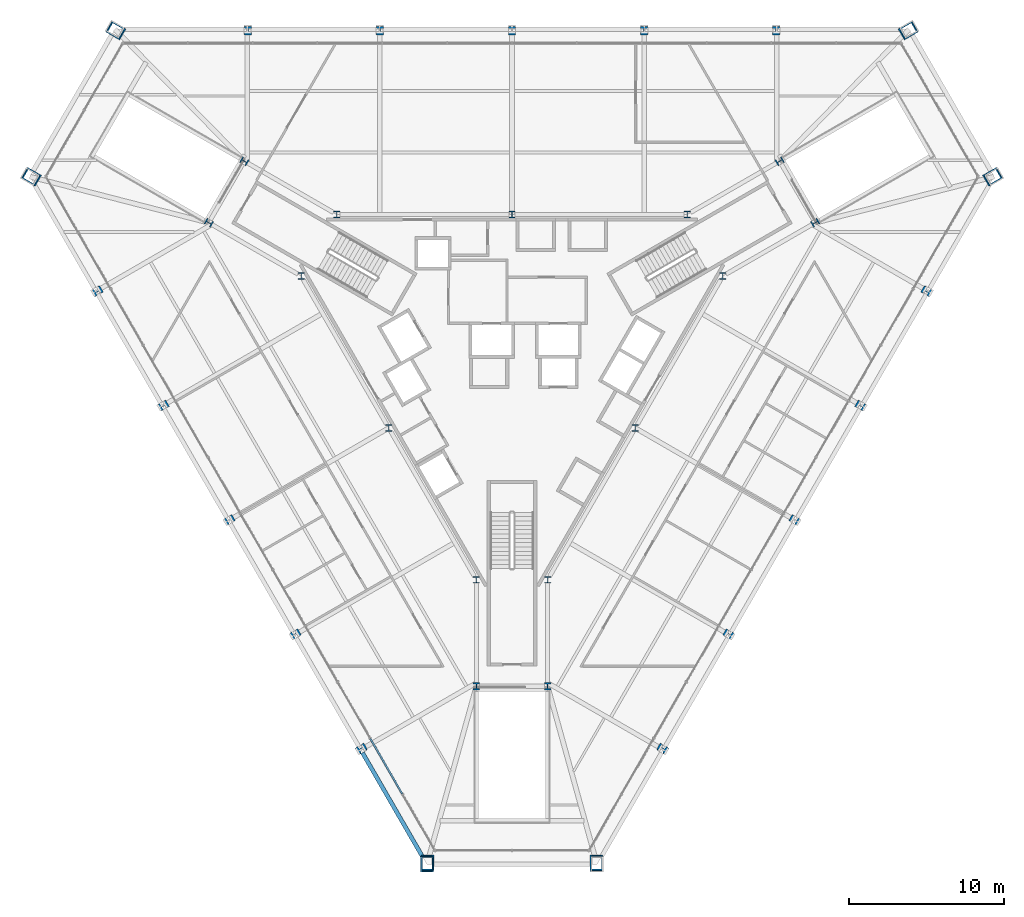
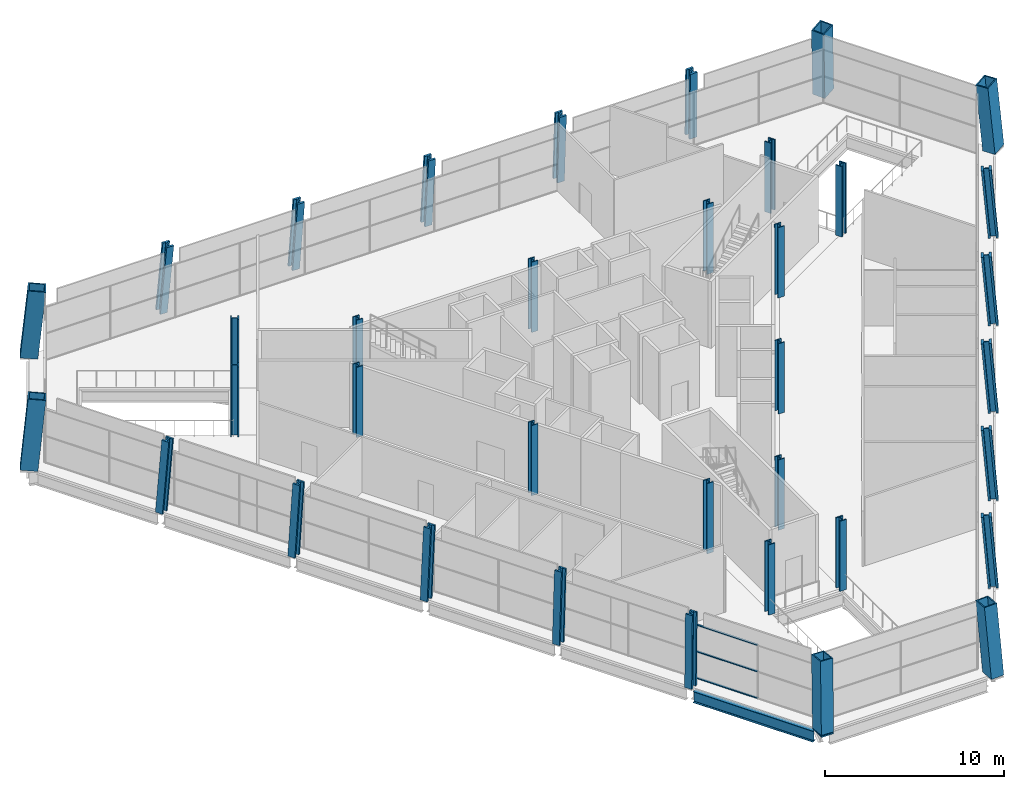
# One storey, part 1 of 18: 36 columns, 4 members, 1 beam, 1 element without a shape of its own.
"""IFC4 building model written with IfcOpenShell, lengths in metres."""

from ifc_helpers import new_model, si_unit, direction, frame, origin, origin_2d, place, context, subcontext, project, spatial, rectangle, hollow_rectangle, i_section, extrude, material, layer, layer_set, material_profile, profile_set, type_object, element, aggregate, save


model = new_model("IFC4")

# Units and contexts
model_context = context("Model", 3, precision=1e-05, world=origin(), true_north=direction((0.0, 1.0)))
body_context = subcontext(model_context, "Body", "Model", "MODEL_VIEW")
ifc_project = project(units=[si_unit("LENGTHUNIT", "METRE"), si_unit("AREAUNIT", "SQUARE_METRE"), si_unit("VOLUMEUNIT", "CUBIC_METRE"), si_unit("PLANEANGLEUNIT", "RADIAN"), si_unit("MASSUNIT", "GRAM", prefix="KILO")], contexts=[model_context])

# Site, building, storey
site_placement = place(None, origin())
site = spatial("IfcSite", under=ifc_project, at=site_placement, CompositionType="ELEMENT")
building_placement = place(site_placement, origin())
building = spatial("IfcBuilding", under=site, at=building_placement, Name="Verrane Prism Tower", CompositionType="ELEMENT")
storey_placement = place(building_placement, frame((0.0, 0.0, 32.0)))
storey = spatial("IfcBuildingStorey", under=building, at=storey_placement, Name="L05", CompositionType="ELEMENT", Elevation=32.0)

# Columns
ifc_material_1 = material(Name="Steel A992", Category="steel")
ifc_material_profile_1 = material_profile(ifc_material_1, i_section(OverallWidth=0.424072265625, OverallDepth=0.47509765625, WebThickness=0.0478515625, FlangeThickness=0.0771484375, FilletRadius=0.014892578125, at=origin_2d()), Name="W14x426")
ifc_profile_set_1 = profile_set([ifc_material_profile_1], Name="Steel A992")
column_type_1 = type_object("IfcColumnType", Name="Core corner column W14x426", PredefinedType="COLUMN", material=ifc_profile_set_1)
for number, where, z_axis, x_axis, name in (
    (1, (19.60009765625, 8.659912109375, 0.0), (0.0, 0.0, 1.0), (0.5, -0.866025403784, 0.0), "Core corner column CK-NEm L05"),
    (2, (17.300048828125, 12.639892578125, 0.0), (0.0, 0.0, 1.0), (0.5, -0.866025403784, 0.0), "Core corner column CK-NEp L05"),
    (3, (-17.300048828125, 12.639892578125, 0.0), (0.0, 0.0, 1.0), (0.5, 0.866025403784, 0.0), "Core corner column CK-NWm L05"),
    (4, (-19.60009765625, 8.659912109375, 0.0), (0.0, 0.0, 1.0), (0.5, 0.866025403784, 0.0), "Core corner column CK-NWp L05"),
    (5, (-2.300048828125, -21.300048828125, 0.0), (0.0, 0.0, 1.0), (-1.0, 0.0, 0.0), "Core corner column CK-Sm L05"),
    (6, (2.300048828125, -21.300048828125, 0.0), (0.0, 0.0, 1.0), (-1.0, 0.0, 0.0), "Core corner column CK-Sp L05"),
):
    element("IfcColumn", number, at=place(storey_placement, frame(where, z_axis=z_axis, x_axis=x_axis)), inside=storey, type_object=column_type_1, Name=name, PredefinedType="COLUMN", context=body_context, shape_type="SweptSolid", body=[
        extrude(i_section(OverallWidth=0.424072265625, OverallDepth=0.47509765625, WebThickness=0.0478515625, FlangeThickness=0.0771484375, FilletRadius=0.014892578125, at=origin_2d()), origin(), (0.0, 0.0, 1.0), 4.800048828125),
    ])
ifc_material_2 = material(Name="Steel A992", Category="steel")
ifc_material_profile_2 = material_profile(ifc_material_2, i_section(OverallWidth=0.411376953125, OverallDepth=0.434326171875, WebThickness=0.035888671875, FlangeThickness=0.057373046875, FilletRadius=0.01513671875, at=origin_2d()), Name="W14x311")
ifc_profile_set_2 = profile_set([ifc_material_profile_2], Name="Steel A992")
column_type_2 = type_object("IfcColumnType", Name="Core side column W14x311", PredefinedType="COLUMN", material=ifc_profile_set_2)
for number, where, z_axis, x_axis, name in (
    (7, (13.6298828125, 5.219970703125, 0.0), (0.0, 0.0, 1.0), (1.0, 0.0, 0.0), "Core side column CC-NEm L05"),
    (8, (11.330078125, 9.199951171875, 0.0), (0.0, 0.0, 1.0), (1.0, 0.0, 0.0), "Core side column CC-NEp L05"),
    (9, (0.0, 9.199951171875, 0.0), (0.0, 0.0, 1.0), (1.0, 0.0, 0.0), "Core side column CC-N0 L05"),
    (10, (-11.330078125, 9.199951171875, 0.0), (0.0, 0.0, 1.0), (1.0, 0.0, 0.0), "Core side column CC-NWm L05"),
    (11, (-13.6298828125, 5.219970703125, 0.0), (0.0, 0.0, 1.0), (1.0, 0.0, 0.0), "Core side column CC-NWp L05"),
    (12, (-7.969970703125, -4.60009765625, 0.0), (0.0, 0.0, 1.0), (1.0, 0.0, 0.0), "Core side column CC-SW0 L05"),
    (13, (-2.300048828125, -14.419921875, 0.0), (0.0, 0.0, 1.0), (1.0, 0.0, 0.0), "Core side column CC-Sm L05"),
    (14, (2.300048828125, -14.419921875, 0.0), (0.0, 0.0, 1.0), (1.0, 0.0, 0.0), "Core side column CC-Sp L05"),
    (15, (7.969970703125, -4.60009765625, 0.0), (0.0, 0.0, 1.0), (1.0, 0.0, 0.0), "Core side column CC-SE0 L05"),
):
    element("IfcColumn", number, at=place(storey_placement, frame(where, z_axis=z_axis, x_axis=x_axis)), inside=storey, type_object=column_type_2, Name=name, PredefinedType="COLUMN", context=body_context, shape_type="SweptSolid", body=[
        extrude(i_section(OverallWidth=0.411376953125, OverallDepth=0.434326171875, WebThickness=0.035888671875, FlangeThickness=0.057373046875, FilletRadius=0.01513671875, at=origin_2d()), origin(), (0.0, 0.0, 1.0), 4.800048828125),
    ])
ifc_material_3 = material(Name="Steel A572 Grade 50", Category="steel")
ifc_material_profile_3 = material_profile(ifc_material_3, hollow_rectangle(XDim=0.800048828125, YDim=1.0, WallThickness=0.074951171875, at=origin_2d()), Name="BOX 1000x800x75")
ifc_profile_set_3 = profile_set([ifc_material_profile_3], Name="Steel A572 Grade 50")
column_type_3 = type_object("IfcColumnType", Name="Megacolumn BOX 1000x800x75", PredefinedType="COLUMN", material=ifc_profile_set_3)
for number, where, z_axis, x_axis, name in (
    (16, (25.667236328125, 21.166259765625, 0.044921875), (-0.06217640116, -0.082901868214, 0.994616195015), (0.499582435164, -0.865300616168, -0.040892959465), "Megacolumn MC-NE.b L05"),
    (17, (-25.667236328125, 21.166259765625, 0.044921875), (0.06217640116, -0.082901868214, 0.994616195015), (0.499582435164, 0.865300616168, 0.040892959465), "Megacolumn MC-NW.a L05"),
):
    element("IfcColumn", number, at=place(storey_placement, frame(where, z_axis=z_axis, x_axis=x_axis)), inside=storey, type_object=column_type_3, Name=name, PredefinedType="COLUMN", context=body_context, shape_type="SweptSolid", body=[
        extrude(hollow_rectangle(XDim=0.800048828125, YDim=1.0, WallThickness=0.074951171875, at=origin_2d()), origin(), (0.0, 0.0, 1.0), 4.7353515625),
    ])
column_1_placement = place(storey_placement, frame((-31.165283203125, 11.639404296875, 0.044921875), z_axis=(0.103570826852, -0.010310684605, 0.994568636952), x_axis=(0.499154841001, 0.865444824509, -0.043008143825)))
element("IfcColumn", 18, at=column_1_placement, inside=storey, type_object=column_type_3, Name="Megacolumn MC-NW.b L05", PredefinedType="COLUMN", context=body_context, shape_type="SweptSolid", body=[
    extrude(hollow_rectangle(XDim=0.800048828125, YDim=1.0, WallThickness=0.074951171875, at=origin_2d()), origin(), (0.0, 0.0, 1.0), 4.735595703125),
])
for number, where, z_axis, x_axis, name in (
    (19, (-5.498046875, -32.805908203125, 0.044921875), (0.041406136876, 0.093279827658, 0.994778571131), (-0.999132963144, -0.000461205092, 0.041630628728), "Megacolumn MC-S.a L05"),
    (20, (5.498046875, -32.805908203125, 0.044921875), (-0.041406136876, 0.093279827658, 0.994778571131), (-0.999132963144, 0.000461205092, -0.041630628728), "Megacolumn MC-S.b L05"),
):
    element("IfcColumn", number, at=place(storey_placement, frame(where, z_axis=z_axis, x_axis=x_axis)), inside=storey, type_object=column_type_3, Name=name, PredefinedType="COLUMN", context=body_context, shape_type="SweptSolid", body=[
        extrude(hollow_rectangle(XDim=0.800048828125, YDim=1.0, WallThickness=0.074951171875, at=origin_2d()), origin(), (0.0, 0.0, 1.0), 4.734619140625),
    ])
column_2_placement = place(storey_placement, frame((31.165283203125, 11.639404296875, 0.044921875), z_axis=(-0.103570826852, -0.010310684605, 0.994568636952), x_axis=(0.499154841001, -0.865444824509, 0.043008143825)))
element("IfcColumn", 21, at=column_2_placement, inside=storey, type_object=column_type_3, Name="Megacolumn MC-NE.a L05", PredefinedType="COLUMN", context=body_context, shape_type="SweptSolid", body=[
    extrude(hollow_rectangle(XDim=0.800048828125, YDim=1.0, WallThickness=0.074951171875, at=origin_2d()), origin(), (0.0, 0.0, 1.0), 4.735595703125),
])
ifc_material_4 = material(Name="Steel A992", Category="steel")
ifc_material_profile_4 = material_profile(ifc_material_4, i_section(OverallWidth=0.45458984375, OverallDepth=0.56884765625, WebThickness=0.077880859375, FlangeThickness=0.124755859375, FilletRadius=0.01513671875, at=origin_2d()), Name="W14x730")
ifc_profile_set_4 = profile_set([ifc_material_profile_4], Name="Steel A992")
column_type_4 = type_object("IfcColumnType", Name="Perimeter column W14x730", PredefinedType="COLUMN", material=ifc_profile_set_4)
column_3_placement = place(storey_placement, frame((17.10888671875, 21.16748046875, 0.030029296875), z_axis=(-0.039441005649, -0.082985106815, 0.995769993081), x_axis=(0.999217228346, -0.000227977802, 0.039558546511)))
element("IfcColumn", 22, at=column_3_placement, inside=storey, type_object=column_type_4, Name="Perimeter column PC-N1 L05", PredefinedType="COLUMN", context=body_context, shape_type="SweptSolid", body=[
    extrude(i_section(OverallWidth=0.45458984375, OverallDepth=0.56884765625, WebThickness=0.077880859375, FlangeThickness=0.124755859375, FilletRadius=0.01513671875, at=origin_2d()), origin(), (0.0, 0.0, 1.0), 4.760009765625),
])
column_4_placement = place(storey_placement, frame((8.5595703125, 21.16796875, 0.02490234375), z_axis=(-0.020791051327, -0.083010576852, 0.996331760166), x_axis=(0.999783003146, -0.000434756363, 0.020826848233)))
element("IfcColumn", 23, at=column_4_placement, inside=storey, type_object=column_type_4, Name="Perimeter column PC-N2 L05", PredefinedType="COLUMN", context=body_context, shape_type="SweptSolid", body=[
    extrude(i_section(OverallWidth=0.45458984375, OverallDepth=0.56884765625, WebThickness=0.077880859375, FlangeThickness=0.124755859375, FilletRadius=0.01513671875, at=origin_2d()), origin(), (0.0, 0.0, 1.0), 4.767578125),
])
column_5_placement = place(storey_placement, frame((0.0, 21.16796875, 0.02490234375), z_axis=(0.0, -0.083028524071, 0.996547171082), x_axis=(1.0, 0.0, 0.0)))
element("IfcColumn", 24, at=column_5_placement, inside=storey, type_object=column_type_4, Name="Perimeter column PC-N3 L05", PredefinedType="COLUMN", context=body_context, shape_type="SweptSolid", body=[
    extrude(i_section(OverallWidth=0.45458984375, OverallDepth=0.56884765625, WebThickness=0.077880859375, FlangeThickness=0.124755859375, FilletRadius=0.01513671875, at=origin_2d()), origin(), (0.0, 0.0, 1.0), 4.766357421875),
])
column_6_placement = place(storey_placement, frame((-8.5595703125, 21.16796875, 0.02490234375), z_axis=(0.020791051327, -0.083010576852, 0.996331760166), x_axis=(0.999783003146, 0.000434756363, -0.020826848233)))
element("IfcColumn", 25, at=column_6_placement, inside=storey, type_object=column_type_4, Name="Perimeter column PC-N4 L05", PredefinedType="COLUMN", context=body_context, shape_type="SweptSolid", body=[
    extrude(i_section(OverallWidth=0.45458984375, OverallDepth=0.56884765625, WebThickness=0.077880859375, FlangeThickness=0.124755859375, FilletRadius=0.01513671875, at=origin_2d()), origin(), (0.0, 0.0, 1.0), 4.767578125),
])
for number, where, z_axis, x_axis, name in (
    (26, (-17.10888671875, 21.16748046875, 0.030029296875), (0.039441005649, -0.082985106815, 0.995769993081), (0.999217228346, 0.000227977802, -0.039558546511), "Perimeter column PC-N5 L05"),
    (27, (-26.88720703125, 4.230224609375, 0.030029296875), (0.091244770768, 0.008308967321, 0.995793830504), (-0.499759929446, 0.865304652417, 0.03857293643), "Perimeter column PC-SW1 L05"),
):
    element("IfcColumn", number, at=place(storey_placement, frame(where, z_axis=z_axis, x_axis=x_axis)), inside=storey, type_object=column_type_4, Name=name, PredefinedType="COLUMN", context=body_context, shape_type="SweptSolid", body=[
        extrude(i_section(OverallWidth=0.45458984375, OverallDepth=0.56884765625, WebThickness=0.077880859375, FlangeThickness=0.124755859375, FilletRadius=0.01513671875, at=origin_2d()), origin(), (0.0, 0.0, 1.0), 4.760009765625),
    ])
column_7_placement = place(storey_placement, frame((-22.60791015625, -3.179443359375, 0.02490234375), z_axis=(0.080968116055, 0.024940842833, 0.996404595805), x_axis=(-0.500178646621, 0.865714310263, 0.018975101316)))
element("IfcColumn", 28, at=column_7_placement, inside=storey, type_object=column_type_4, Name="Perimeter column PC-SW2 L05", PredefinedType="COLUMN", context=body_context, shape_type="SweptSolid", body=[
    extrude(i_section(OverallWidth=0.45458984375, OverallDepth=0.56884765625, WebThickness=0.077880859375, FlangeThickness=0.124755859375, FilletRadius=0.01513671875, at=origin_2d()), origin(), (0.0, 0.0, 1.0), 4.76708984375),
])
column_8_placement = place(storey_placement, frame((-18.328125, -10.5888671875, 0.02490234375), z_axis=(0.070582350376, 0.043588955131, 0.996553126936), x_axis=(-0.499945117104, 0.866053561357, -0.002471587651)))
element("IfcColumn", 29, at=column_8_placement, inside=storey, type_object=column_type_4, Name="Perimeter column PC-SW3 L05", PredefinedType="COLUMN", context=body_context, shape_type="SweptSolid", body=[
    extrude(i_section(OverallWidth=0.45458984375, OverallDepth=0.56884765625, WebThickness=0.077880859375, FlangeThickness=0.124755859375, FilletRadius=0.01513671875, at=origin_2d()), origin(), (0.0, 0.0, 1.0), 4.766357421875),
])
column_9_placement = place(storey_placement, frame((-14.058349609375, -17.988525390625, 0.02490234375), z_axis=(0.062221812166, 0.058124902723, 0.996368376543), x_axis=(-0.500286642151, 0.865645685463, -0.019256763096)))
element("IfcColumn", 30, at=column_9_placement, inside=storey, type_object=column_type_4, Name="Perimeter column PC-SW4 L05", PredefinedType="COLUMN", context=body_context, shape_type="SweptSolid", body=[
    extrude(i_section(OverallWidth=0.45458984375, OverallDepth=0.56884765625, WebThickness=0.077880859375, FlangeThickness=0.124755859375, FilletRadius=0.01513671875, at=origin_2d()), origin(), (0.0, 0.0, 1.0), 4.767333984375),
])
for number, where, z_axis, x_axis, name in (
    (31, (-9.7783203125, -25.397705078125, 0.030029296875), (0.051857455161, 0.074682942349, 0.995858053372), (-0.499666057383, 0.865345293174, -0.038876145395), "Perimeter column PC-SW5 L05"),
    (32, (9.7783203125, -25.397705078125, 0.030029296875), (-0.051857455161, 0.074682942349, 0.995858053372), (-0.499666057383, -0.865345293174, 0.038876145395), "Perimeter column PC-SE1 L05"),
):
    element("IfcColumn", number, at=place(storey_placement, frame(where, z_axis=z_axis, x_axis=x_axis)), inside=storey, type_object=column_type_4, Name=name, PredefinedType="COLUMN", context=body_context, shape_type="SweptSolid", body=[
        extrude(i_section(OverallWidth=0.45458984375, OverallDepth=0.56884765625, WebThickness=0.077880859375, FlangeThickness=0.124755859375, FilletRadius=0.01513671875, at=origin_2d()), origin(), (0.0, 0.0, 1.0), 4.759765625),
    ])
column_10_placement = place(storey_placement, frame((14.058349609375, -17.988525390625, 0.02490234375), z_axis=(-0.062221812166, 0.058124902723, 0.996368376543), x_axis=(-0.500286642151, -0.865645685463, 0.019256763096)))
element("IfcColumn", 33, at=column_10_placement, inside=storey, type_object=column_type_4, Name="Perimeter column PC-SE2 L05", PredefinedType="COLUMN", context=body_context, shape_type="SweptSolid", body=[
    extrude(i_section(OverallWidth=0.45458984375, OverallDepth=0.56884765625, WebThickness=0.077880859375, FlangeThickness=0.124755859375, FilletRadius=0.01513671875, at=origin_2d()), origin(), (0.0, 0.0, 1.0), 4.767333984375),
])
column_11_placement = place(storey_placement, frame((18.328125, -10.5888671875, 0.02490234375), z_axis=(-0.070582350376, 0.043588955131, 0.996553126936), x_axis=(-0.499945117104, -0.866053561357, 0.002471587651)))
element("IfcColumn", 34, at=column_11_placement, inside=storey, type_object=column_type_4, Name="Perimeter column PC-SE3 L05", PredefinedType="COLUMN", context=body_context, shape_type="SweptSolid", body=[
    extrude(i_section(OverallWidth=0.45458984375, OverallDepth=0.56884765625, WebThickness=0.077880859375, FlangeThickness=0.124755859375, FilletRadius=0.01513671875, at=origin_2d()), origin(), (0.0, 0.0, 1.0), 4.766357421875),
])
column_12_placement = place(storey_placement, frame((22.60791015625, -3.179443359375, 0.02490234375), z_axis=(-0.080968116055, 0.024940842833, 0.996404595805), x_axis=(-0.500178646621, -0.865714310263, -0.018975101316)))
element("IfcColumn", 35, at=column_12_placement, inside=storey, type_object=column_type_4, Name="Perimeter column PC-SE4 L05", PredefinedType="COLUMN", context=body_context, shape_type="SweptSolid", body=[
    extrude(i_section(OverallWidth=0.45458984375, OverallDepth=0.56884765625, WebThickness=0.077880859375, FlangeThickness=0.124755859375, FilletRadius=0.01513671875, at=origin_2d()), origin(), (0.0, 0.0, 1.0), 4.76708984375),
])
column_13_placement = place(storey_placement, frame((26.88720703125, 4.230224609375, 0.030029296875), z_axis=(-0.091244770768, 0.008308967321, 0.995793830504), x_axis=(-0.499759929446, -0.865304652417, -0.03857293643)))
element("IfcColumn", 36, at=column_13_placement, inside=storey, type_object=column_type_4, Name="Perimeter column PC-SE5 L05", PredefinedType="COLUMN", context=body_context, shape_type="SweptSolid", body=[
    extrude(i_section(OverallWidth=0.45458984375, OverallDepth=0.56884765625, WebThickness=0.077880859375, FlangeThickness=0.124755859375, FilletRadius=0.01513671875, at=origin_2d()), origin(), (0.0, 0.0, 1.0), 4.760009765625),
])

# Curtain wall, members
ifc_material_5 = material(Name="Aluminium and glass curtain wall", Category="aluminium")
ifc_layer = layer(ifc_material_5, 0.199951171875)
ifc_layer_set = layer_set([ifc_layer], Name="CWB-1 retail curtain wall")
curtain_wall_type = type_object("IfcCurtainWallType", Name="CWB-1 retail curtain wall", PredefinedType="NOTDEFINED", material=ifc_layer_set)
curtain_wall_placement = place(storey_placement, origin())
curtain_wall = element("IfcCurtainWall", 37, at=curtain_wall_placement, inside=storey, type_object=curtain_wall_type, Name="Retail curtain wall L05 4", PredefinedType="NOTDEFINED")
ifc_material_6 = material(Name="Aluminium", Category="aluminium")
ifc_material_profile_5 = material_profile(ifc_material_6, rectangle(XDim=0.1201171875, YDim=0.06005859375, at=origin_2d()), Name="CWB-T 60x120 transom")
ifc_profile_set_5 = profile_set([ifc_material_profile_5], Name="Aluminium")
member_type_1 = type_object("IfcMemberType", Name="CWB-T 60x120 transom", PredefinedType="USERDEFINED", material=ifc_profile_set_5)
member_1_placement = place(storey_placement, frame((-9.15673828125, -24.68017578125, 0.030029296875), z_axis=(0.499996977546, -0.866027148792, 0.0), x_axis=(0.866027148792, 0.499996977546, 0.0)))
member_1 = element("IfcMember", 38, at=member_1_placement, type_object=member_type_1, Name="CWB54 transom 11.1", ObjectType="TRANSOM", PredefinedType="USERDEFINED", context=body_context, shape_type="SweptSolid", body=[
    extrude(rectangle(XDim=0.1201171875, YDim=0.06005859375, at=origin_2d()), origin(), (0.0, 0.0, 1.0), 4.13134765625),
])
member_2_placement = place(storey_placement, frame((-9.15673828125, -24.68017578125, 1.844970703125), z_axis=(0.499996977546, -0.866027148792, 0.0), x_axis=(0.866027148792, 0.499996977546, 0.0)))
member_2 = element("IfcMember", 39, at=member_2_placement, type_object=member_type_1, Name="CWB54 transom 11.2", ObjectType="TRANSOM", PredefinedType="USERDEFINED", context=body_context, shape_type="SweptSolid", body=[
    extrude(rectangle(XDim=0.1201171875, YDim=0.06005859375, at=origin_2d()), origin(), (0.0, 0.0, 1.0), 4.13134765625),
])
member_3_placement = place(storey_placement, frame((-9.15673828125, -24.68017578125, 3.659912109375), z_axis=(0.499996977546, -0.866027148792, 0.0), x_axis=(0.866027148792, 0.499996977546, 0.0)))
member_3 = element("IfcMember", 40, at=member_3_placement, type_object=member_type_1, Name="CWB54 transom 11.3", ObjectType="TRANSOM", PredefinedType="USERDEFINED", context=body_context, shape_type="SweptSolid", body=[
    extrude(rectangle(XDim=0.1201171875, YDim=0.06005859375, at=origin_2d()), origin(), (0.0, 0.0, 1.0), 4.13134765625),
])
aggregate(curtain_wall, [member_1, member_2, member_3])

# Member
ifc_material_7 = material(Name="Steel A572 Grade 50", Category="steel")
ifc_material_profile_6 = material_profile(ifc_material_7, hollow_rectangle(XDim=0.800048828125, YDim=1.0, WallThickness=0.074951171875, at=origin_2d()), Name="BOX 1000x800x75")
ifc_profile_set_6 = profile_set([ifc_material_profile_6], Name="Steel A572 Grade 50")
member_type_2 = type_object("IfcMemberType", Name="Kink node BOX 1000x800x75", PredefinedType="COLLAR", material=ifc_profile_set_6)
member_4_placement = place(storey_placement, frame((-5.4990234375, -32.807861328125, -0.044921875), z_axis=(0.0, 0.0, 1.0), x_axis=(-1.0, 0.0, 0.0)))
element("IfcMember", 41, at=member_4_placement, inside=storey, type_object=member_type_2, Name="Kink node MC2 L05", PredefinedType="COLLAR", context=body_context, shape_type="SweptSolid", body=[
    extrude(hollow_rectangle(XDim=0.800048828125, YDim=1.0, WallThickness=0.074951171875, at=origin_2d()), origin(), (0.0, 0.0, 1.0), 0.08984375),
])

# Beam
ifc_material_8 = material(Name="Steel A992", Category="steel")
ifc_material_profile_7 = material_profile(ifc_material_8, i_section(OverallWidth=0.2666015625, OverallDepth=0.76708984375, WebThickness=0.014892578125, FlangeThickness=0.023681640625, FilletRadius=0.0166015625, at=origin_2d()), Name="W30x124")
ifc_profile_set_7 = profile_set([ifc_material_profile_7], Name="Steel A992")
beam_type = type_object("IfcBeamType", Name="Spandrel beam W30x124", PredefinedType="SPANDREL", material=ifc_profile_set_7)
beam_placement = place(storey_placement, frame((-9.666259765625, -25.596923828125, -0.54345703125), z_axis=(0.500155868966, -0.865935394091, 0.0), x_axis=(0.865935394091, 0.500155868966, 0.0)))
element("IfcBeam", 42, at=beam_placement, inside=storey, type_object=beam_type, Name="Spandrel beam L05", PredefinedType="SPANDREL", context=body_context, shape_type="SweptSolid", body=[
    extrude(i_section(OverallWidth=0.2666015625, OverallDepth=0.76708984375, WebThickness=0.014892578125, FlangeThickness=0.023681640625, FilletRadius=0.0166015625, at=origin_2d()), origin(), (0.0, 0.0, 1.0), 7.75244140625),
])

save(model, "model.ifc")
